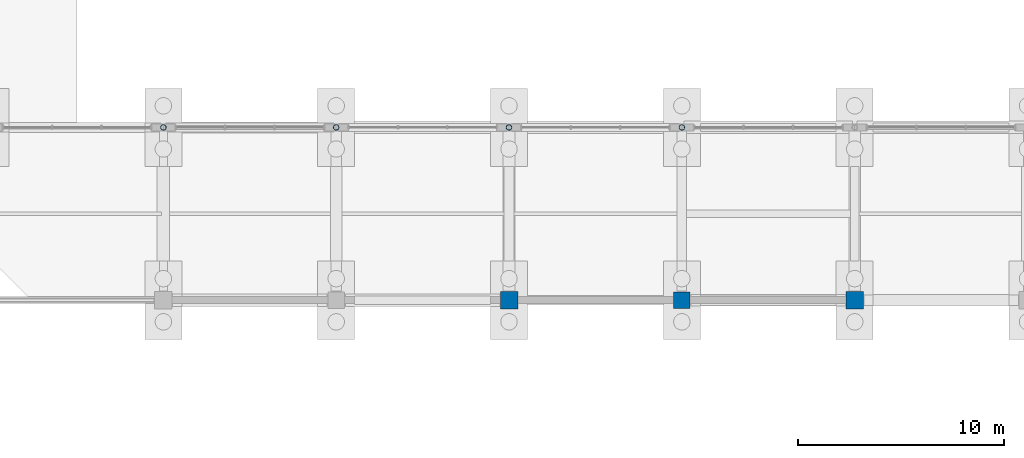
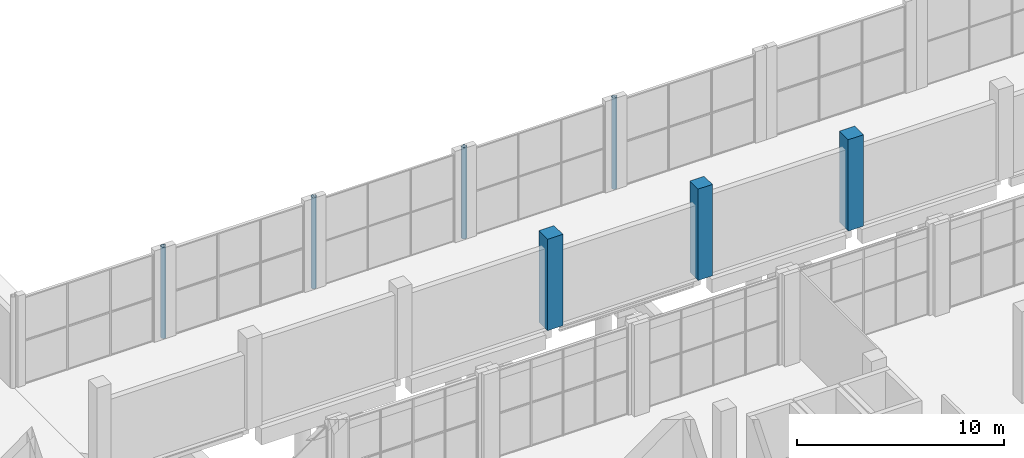
# One storey, part 12 of 82: 7 columns.
"""IFC4 building model written with IfcOpenShell, lengths in metres."""

from ifc_helpers import new_model, si_unit, derived_unit, direction, frame, origin, origin_2d, place, context, subcontext, project, spatial, rectangle, hollow_circle, extrude, material, material_profile, profile_set, type_object, element, save


model = new_model("IFC4")

# Units and contexts
model_context = context("Model", 3, precision=1e-05, world=origin(), true_north=direction((0.0, 1.0)))
body_context = subcontext(model_context, "Body", "Model", "MODEL_VIEW")
ifc_project = project(units=[si_unit("LENGTHUNIT", "METRE"), si_unit("AREAUNIT", "SQUARE_METRE"), si_unit("VOLUMEUNIT", "CUBIC_METRE"), si_unit("PLANEANGLEUNIT", "RADIAN"), si_unit("MASSUNIT", "GRAM", prefix="KILO"), derived_unit("THERMALTRANSMITTANCEUNIT", [(si_unit("POWERUNIT", "WATT"), 1), (si_unit("LENGTHUNIT", "METRE"), -2), (si_unit("THERMODYNAMICTEMPERATUREUNIT", "KELVIN"), -1)])], contexts=[model_context])

# Site, building, storey
site_placement = place(None, origin())
site = spatial("IfcSite", under=ifc_project, at=site_placement, CompositionType="ELEMENT")
building_placement = place(site_placement, origin())
building = spatial("IfcBuilding", under=site, at=building_placement, Name="Barrovel Congress Hotel", CompositionType="ELEMENT")
storey_placement = place(building_placement, origin())
storey = spatial("IfcBuildingStorey", under=building, at=storey_placement, Name="L00", CompositionType="ELEMENT", Elevation=0.0)

# Columns
ifc_material_1 = material(Name="Concrete C40", Category="concrete")
ifc_material_profile_1 = material_profile(ifc_material_1, rectangle(XDim=0.800048828125, YDim=0.800048828125, at=origin_2d()), Name="RC800x800")
ifc_profile_set_1 = profile_set([ifc_material_profile_1], Name="Concrete C40")
column_type_1 = type_object("IfcColumnType", Name="COL-RC800x800", PredefinedType="COLUMN", material=ifc_profile_set_1)
column_placement = place(storey_placement, frame((92.39990234375, 37.800048828125, 0.0), z_axis=(0.0, 0.0, 1.0), x_axis=(1.0, 0.0, 0.0)))
element("IfcColumn", 1, at=column_placement, inside=storey, type_object=column_type_1, Name="COL:L00:92.4:37.8", PredefinedType="COLUMN", context=body_context, shape_type="SweptSolid", body=[
    extrude(rectangle(XDim=0.800048828125, YDim=0.800048828125, at=origin_2d()), origin(), (0.0, 0.0, 1.0), 5.39990234375),
])
ifc_material_profile_2 = material_profile(ifc_material_1, rectangle(XDim=0.85009765625, YDim=0.85009765625, at=origin_2d()), Name="RC850x850")
ifc_profile_set_2 = profile_set([ifc_material_profile_2], Name="Concrete C40")
column_type_2 = type_object("IfcColumnType", Name="COL-RC850x850", PredefinedType="COLUMN", material=ifc_profile_set_2)
for number, where, z_axis, x_axis, name in (
    (2, (84.0, 37.800048828125, 0.0), (0.0, 0.0, 1.0), (1.0, 0.0, 0.0), "COL:L00:84.0:37.8"),
    (3, (100.800048828125, 37.800048828125, 0.0), (0.0, 0.0, 1.0), (1.0, 0.0, 0.0), "COL:L00:100.8:37.8"),
):
    element("IfcColumn", number, at=place(storey_placement, frame(where, z_axis=z_axis, x_axis=x_axis)), inside=storey, type_object=column_type_2, Name=name, PredefinedType="COLUMN", context=body_context, shape_type="SweptSolid", body=[
        extrude(rectangle(XDim=0.85009765625, YDim=0.85009765625, at=origin_2d()), origin(), (0.0, 0.0, 1.0), 5.39990234375),
    ])
ifc_material_2 = material(Name="Steel ASTM A500 Grade C", Category="steel")
ifc_material_profile_3 = material_profile(ifc_material_2, hollow_circle(Radius=0.136474609375, WallThickness=0.01171875, at=origin_2d()), Name="CHS273.1x12.7")
ifc_profile_set_3 = profile_set([ifc_material_profile_3], Name="Steel ASTM A500 Grade C")
column_type_3 = type_object("IfcColumnType", Name="SCOL-CHS273.1x12.7", PredefinedType="COLUMN", material=ifc_profile_set_3)
for number, where, z_axis, x_axis, name in (
    (4, (67.199951171875, 46.199951171875, 0.0), (0.0, 0.0, 1.0), (1.0, 0.0, 0.0), "COL:L00:67.2:46.2"),
    (5, (75.60009765625, 46.199951171875, 0.0), (0.0, 0.0, 1.0), (1.0, 0.0, 0.0), "COL:L00:75.6:46.2"),
    (6, (84.0, 46.199951171875, 0.0), (0.0, 0.0, 1.0), (1.0, 0.0, 0.0), "COL:L00:84.0:46.2"),
    (7, (92.39990234375, 46.199951171875, 0.0), (0.0, 0.0, 1.0), (1.0, 0.0, 0.0), "COL:L00:92.4:46.2"),
):
    element("IfcColumn", number, at=place(storey_placement, frame(where, z_axis=z_axis, x_axis=x_axis)), inside=storey, type_object=column_type_3, Name=name, PredefinedType="COLUMN", context=body_context, shape_type="SweptSolid", body=[
        extrude(hollow_circle(Radius=0.136474609375, WallThickness=0.01171875, at=origin_2d()), origin(), (0.0, 0.0, 1.0), 5.39990234375),
    ])

save(model, "model.ifc")
